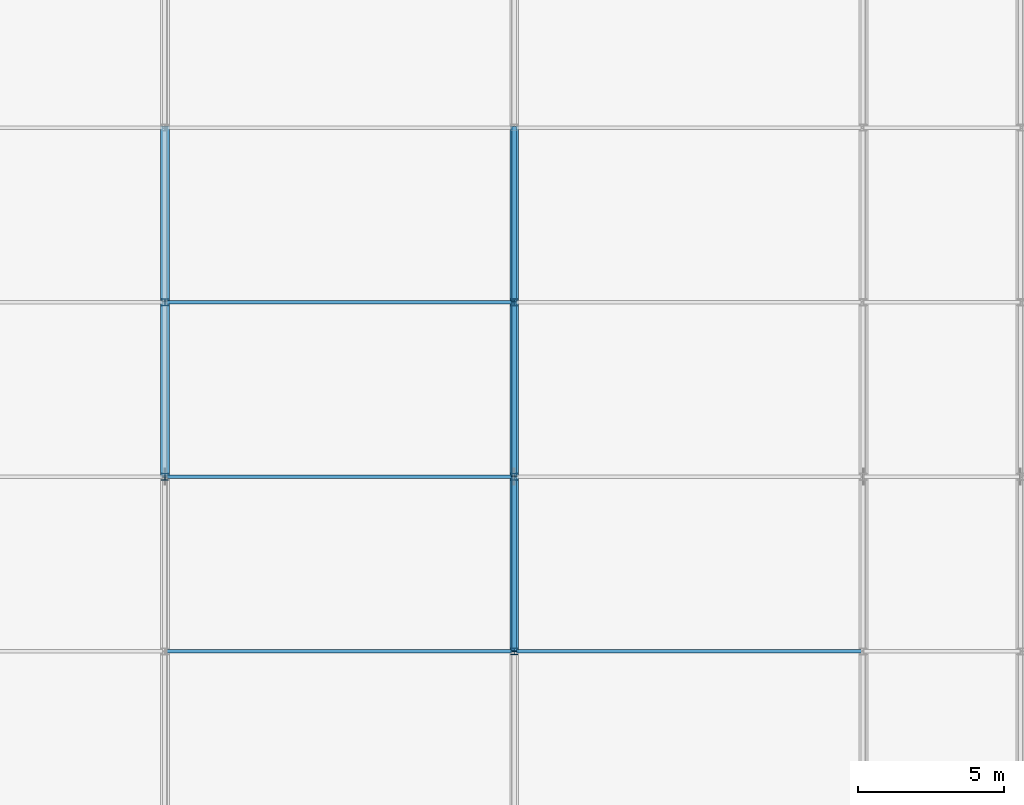
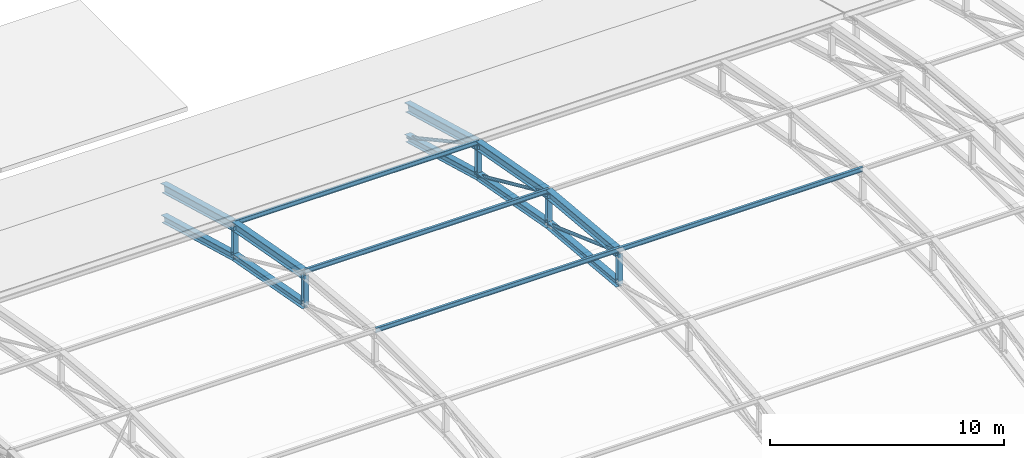
# One storey, part 43 of 204: 22 members.
"""IFC4 building model written with IfcOpenShell, lengths in metres."""

from ifc_helpers import new_model, si_unit, direction, frame, origin, origin_2d, place, context, subcontext, project, spatial, hollow_circle, i_section, extrude, material, material_profile, profile_set, type_object, element, save


model = new_model("IFC4")

# Units and contexts
model_context = context("Model", 3, precision=1e-05, world=origin(), true_north=direction((0.0, 1.0)))
body_context = subcontext(model_context, "Body", "Model", "MODEL_VIEW")
ifc_project = project(units=[si_unit("LENGTHUNIT", "METRE"), si_unit("AREAUNIT", "SQUARE_METRE"), si_unit("VOLUMEUNIT", "CUBIC_METRE"), si_unit("PLANEANGLEUNIT", "RADIAN"), si_unit("MASSUNIT", "GRAM", prefix="KILO")], contexts=[model_context])

# Site, building, storey
site_placement = place(None, origin())
site = spatial("IfcSite", under=ifc_project, at=site_placement, CompositionType="ELEMENT")
building_placement = place(site_placement, origin())
building = spatial("IfcBuilding", under=site, at=building_placement, Name="Zilviju Railside Exhibition Hall", CompositionType="ELEMENT")
storey_placement = place(building_placement, frame((0.0, 0.0, 21.0)))
storey = spatial("IfcBuildingStorey", under=building, at=storey_placement, Name="RF", CompositionType="ELEMENT", Elevation=21.0)

# Members
ifc_material = material(Name="Steel S355J2", Category="steel")
ifc_material_profile_1 = material_profile(ifc_material, hollow_circle(Radius=0.084228515625, WallThickness=0.008056640625, at=origin_2d()), Name="CHS 168.3x8.0")
ifc_profile_set_1 = profile_set([ifc_material_profile_1], Name="Steel S355J2")
member_type_1 = type_object("IfcMemberType", Name="TR-BR-CHS168", PredefinedType="BRACE", material=ifc_profile_set_1)
member_1_placement = place(storey_placement, frame((108.0, 30.0, -0.669189453125), z_axis=(0.0, 0.94123307508, -0.337757751023), x_axis=(-1.0, 0.0, 0.0)))
element("IfcMember", 1, at=member_1_placement, inside=storey, type_object=member_type_1, Name="V1 Parabolic Arch Web Diagonal X=108.0 P6", PredefinedType="BRACE", context=body_context, shape_type="SweptSolid", body=[
    extrude(hollow_circle(Radius=0.084228515625, WallThickness=0.008056640625, at=origin_2d()), origin(), (0.0, 0.0, 1.0), 6.37451171875),
])
member_2_placement = place(storey_placement, frame((108.0, 36.0, -1.22216796875), z_axis=(0.0, 0.911563042822, -0.411160332425), x_axis=(-1.0, 0.0, 0.0)))
element("IfcMember", 2, at=member_2_placement, inside=storey, type_object=member_type_1, Name="V1 Parabolic Arch Web Diagonal X=108.0 P7", PredefinedType="BRACE", context=body_context, shape_type="SweptSolid", body=[
    extrude(hollow_circle(Radius=0.084228515625, WallThickness=0.008056640625, at=origin_2d()), origin(), (0.0, 0.0, 1.0), 6.58203125),
])
member_3_placement = place(storey_placement, frame((108.0, 42.0, -2.328369140625), z_axis=(0.0, 0.87872232578, -0.477333294644), x_axis=(-1.0, 0.0, 0.0)))
element("IfcMember", 3, at=member_3_placement, inside=storey, type_object=member_type_1, Name="V1 Parabolic Arch Web Diagonal X=108.0 P8", PredefinedType="BRACE", context=body_context, shape_type="SweptSolid", body=[
    extrude(hollow_circle(Radius=0.084228515625, WallThickness=0.008056640625, at=origin_2d()), origin(), (0.0, 0.0, 1.0), 6.828125),
])
ifc_material_profile_2 = material_profile(ifc_material, i_section(OverallWidth=0.300048828125, OverallDepth=0.360107421875, WebThickness=0.012451171875, FlangeThickness=0.0224609375, at=origin_2d()), Name="HEB 360")
ifc_profile_set_2 = profile_set([ifc_material_profile_2], Name="Steel S355J2")
member_type_2 = type_object("IfcMemberType", Name="TR-CH-HEB360", PredefinedType="CHORD", material=ifc_profile_set_2)
member_4_placement = place(storey_placement, frame((96.0, 36.0, -2.822265625), z_axis=(0.0, 0.98342578549, -0.18131112606), x_axis=(-1.0, 0.0, 0.0)))
element("IfcMember", 4, at=member_4_placement, inside=storey, type_object=member_type_2, Name="V1 Parabolic Arch Bottom Chord X=96.0 P7", PredefinedType="CHORD", context=body_context, shape_type="SweptSolid", body=[
    extrude(i_section(OverallWidth=0.300048828125, OverallDepth=0.360107421875, WebThickness=0.012451171875, FlangeThickness=0.0224609375, at=origin_2d()), origin(), (0.0, 0.0, 1.0), 6.10107421875),
])
member_5_placement = place(storey_placement, frame((96.0, 42.0, -3.928466796875), z_axis=(0.0, 0.963827412659, -0.266527144223), x_axis=(-1.0, 0.0, 0.0)))
element("IfcMember", 5, at=member_5_placement, inside=storey, type_object=member_type_2, Name="V1 Parabolic Arch Bottom Chord X=96.0 P8", PredefinedType="CHORD", context=body_context, shape_type="SweptSolid", body=[
    extrude(i_section(OverallWidth=0.300048828125, OverallDepth=0.360107421875, WebThickness=0.012451171875, FlangeThickness=0.0224609375, at=origin_2d()), origin(), (0.0, 0.0, 1.0), 6.22509765625),
])
member_6_placement = place(storey_placement, frame((108.0, 30.0, -2.26904296875), z_axis=(0.0, 0.995776144786, -0.091814320641), x_axis=(-1.0, 0.0, 0.0)))
element("IfcMember", 6, at=member_6_placement, inside=storey, type_object=member_type_2, Name="V1 Parabolic Arch Bottom Chord X=108.0 P6", PredefinedType="CHORD", context=body_context, shape_type="SweptSolid", body=[
    extrude(i_section(OverallWidth=0.300048828125, OverallDepth=0.360107421875, WebThickness=0.012451171875, FlangeThickness=0.0224609375, at=origin_2d()), origin(), (0.0, 0.0, 1.0), 6.025390625),
])
member_7_placement = place(storey_placement, frame((108.0, 36.0, -2.822265625), z_axis=(0.0, 0.98342578549, -0.18131112606), x_axis=(-1.0, 0.0, 0.0)))
element("IfcMember", 7, at=member_7_placement, inside=storey, type_object=member_type_2, Name="V1 Parabolic Arch Bottom Chord X=108.0 P7", PredefinedType="CHORD", context=body_context, shape_type="SweptSolid", body=[
    extrude(i_section(OverallWidth=0.300048828125, OverallDepth=0.360107421875, WebThickness=0.012451171875, FlangeThickness=0.0224609375, at=origin_2d()), origin(), (0.0, 0.0, 1.0), 6.10107421875),
])
member_8_placement = place(storey_placement, frame((108.0, 42.0, -3.928466796875), z_axis=(0.0, 0.963827412659, -0.266527144223), x_axis=(-1.0, 0.0, 0.0)))
element("IfcMember", 8, at=member_8_placement, inside=storey, type_object=member_type_2, Name="V1 Parabolic Arch Bottom Chord X=108.0 P8", PredefinedType="CHORD", context=body_context, shape_type="SweptSolid", body=[
    extrude(i_section(OverallWidth=0.300048828125, OverallDepth=0.360107421875, WebThickness=0.012451171875, FlangeThickness=0.0224609375, at=origin_2d()), origin(), (0.0, 0.0, 1.0), 6.22509765625),
])
ifc_material_profile_3 = material_profile(ifc_material, i_section(OverallWidth=0.300048828125, OverallDepth=0.449951171875, WebThickness=0.013916015625, FlangeThickness=0.02587890625, at=origin_2d()), Name="HEB 450")
ifc_profile_set_3 = profile_set([ifc_material_profile_3], Name="Steel S355J2")
member_type_3 = type_object("IfcMemberType", Name="TR-CH-HEB450", PredefinedType="CHORD", material=ifc_profile_set_3)
member_9_placement = place(storey_placement, frame((96.0, 36.0, -1.22216796875), z_axis=(0.0, 0.98342578549, -0.18131112606), x_axis=(-1.0, 0.0, 0.0)))
element("IfcMember", 9, at=member_9_placement, inside=storey, type_object=member_type_3, Name="V1 Parabolic Arch Top Chord X=96.0 P7", PredefinedType="CHORD", context=body_context, shape_type="SweptSolid", body=[
    extrude(i_section(OverallWidth=0.300048828125, OverallDepth=0.449951171875, WebThickness=0.013916015625, FlangeThickness=0.02587890625, at=origin_2d()), origin(), (0.0, 0.0, 1.0), 6.10107421875),
])
member_10_placement = place(storey_placement, frame((96.0, 42.0, -2.328369140625), z_axis=(0.0, 0.963827412659, -0.266527144223), x_axis=(-1.0, 0.0, 0.0)))
element("IfcMember", 10, at=member_10_placement, inside=storey, type_object=member_type_3, Name="V1 Parabolic Arch Top Chord X=96.0 P8", PredefinedType="CHORD", context=body_context, shape_type="SweptSolid", body=[
    extrude(i_section(OverallWidth=0.300048828125, OverallDepth=0.449951171875, WebThickness=0.013916015625, FlangeThickness=0.02587890625, at=origin_2d()), origin(), (0.0, 0.0, 1.0), 6.22509765625),
])
member_11_placement = place(storey_placement, frame((108.0, 30.0, -0.669189453125), z_axis=(0.0, 0.99577984843, -0.091774143746), x_axis=(-1.0, 0.0, 0.0)))
element("IfcMember", 11, at=member_11_placement, inside=storey, type_object=member_type_3, Name="V1 Parabolic Arch Top Chord X=108.0 P6", PredefinedType="CHORD", context=body_context, shape_type="SweptSolid", body=[
    extrude(i_section(OverallWidth=0.300048828125, OverallDepth=0.449951171875, WebThickness=0.013916015625, FlangeThickness=0.02587890625, at=origin_2d()), origin(), (0.0, 0.0, 1.0), 6.025390625),
])
member_12_placement = place(storey_placement, frame((108.0, 36.0, -1.22216796875), z_axis=(0.0, 0.98342578549, -0.18131112606), x_axis=(-1.0, 0.0, 0.0)))
element("IfcMember", 12, at=member_12_placement, inside=storey, type_object=member_type_3, Name="V1 Parabolic Arch Top Chord X=108.0 P7", PredefinedType="CHORD", context=body_context, shape_type="SweptSolid", body=[
    extrude(i_section(OverallWidth=0.300048828125, OverallDepth=0.449951171875, WebThickness=0.013916015625, FlangeThickness=0.02587890625, at=origin_2d()), origin(), (0.0, 0.0, 1.0), 6.10107421875),
])
member_13_placement = place(storey_placement, frame((108.0, 42.0, -2.328369140625), z_axis=(0.0, 0.963827412659, -0.266527144223), x_axis=(-1.0, 0.0, 0.0)))
element("IfcMember", 13, at=member_13_placement, inside=storey, type_object=member_type_3, Name="V1 Parabolic Arch Top Chord X=108.0 P8", PredefinedType="CHORD", context=body_context, shape_type="SweptSolid", body=[
    extrude(i_section(OverallWidth=0.300048828125, OverallDepth=0.449951171875, WebThickness=0.013916015625, FlangeThickness=0.02587890625, at=origin_2d()), origin(), (0.0, 0.0, 1.0), 6.22509765625),
])
ifc_material_profile_4 = material_profile(ifc_material, i_section(OverallWidth=0.239990234375, OverallDepth=0.22998046875, WebThickness=0.007568359375, FlangeThickness=0.011962890625, at=origin_2d()), Name="HEA 240")
ifc_profile_set_4 = profile_set([ifc_material_profile_4], Name="Steel S355J2")
member_type_4 = type_object("IfcMemberType", Name="TR-POST-HEA240", PredefinedType="POST", material=ifc_profile_set_4)
for number, where, z_axis, x_axis, name in (
    (14, (96.0, 36.0, -2.822265625), (0.0, 0.0, 1.0), (1.0, 0.0, 0.0), "V1 Parabolic Arch Web Post X=96.0 N6"),
    (15, (96.0, 42.0, -3.928466796875), (0.0, 0.0, 1.0), (1.0, 0.0, 0.0), "V1 Parabolic Arch Web Post X=96.0 N7"),
):
    element("IfcMember", number, at=place(storey_placement, frame(where, z_axis=z_axis, x_axis=x_axis)), inside=storey, type_object=member_type_4, Name=name, PredefinedType="POST", context=body_context, shape_type="SweptSolid", body=[
        extrude(i_section(OverallWidth=0.239990234375, OverallDepth=0.22998046875, WebThickness=0.007568359375, FlangeThickness=0.011962890625, at=origin_2d()), origin(), (0.0, 0.0, 1.0), 1.60009765625),
    ])
member_14_placement = place(storey_placement, frame((108.0, 30.0, -2.26904296875), z_axis=(0.0, 0.0, 1.0), x_axis=(1.0, 0.0, 0.0)))
element("IfcMember", 16, at=member_14_placement, inside=storey, type_object=member_type_4, Name="V1 Parabolic Arch Web Post X=108.0 N5", PredefinedType="POST", context=body_context, shape_type="SweptSolid", body=[
    extrude(i_section(OverallWidth=0.239990234375, OverallDepth=0.22998046875, WebThickness=0.007568359375, FlangeThickness=0.011962890625, at=origin_2d()), origin(), (0.0, 0.0, 1.0), 1.599853515625),
])
for number, where, z_axis, x_axis, name in (
    (17, (108.0, 36.0, -2.822265625), (0.0, 0.0, 1.0), (1.0, 0.0, 0.0), "V1 Parabolic Arch Web Post X=108.0 N6"),
    (18, (108.0, 42.0, -3.928466796875), (0.0, 0.0, 1.0), (1.0, 0.0, 0.0), "V1 Parabolic Arch Web Post X=108.0 N7"),
):
    element("IfcMember", number, at=place(storey_placement, frame(where, z_axis=z_axis, x_axis=x_axis)), inside=storey, type_object=member_type_4, Name=name, PredefinedType="POST", context=body_context, shape_type="SweptSolid", body=[
        extrude(i_section(OverallWidth=0.239990234375, OverallDepth=0.22998046875, WebThickness=0.007568359375, FlangeThickness=0.011962890625, at=origin_2d()), origin(), (0.0, 0.0, 1.0), 1.60009765625),
    ])
ifc_material_profile_5 = material_profile(ifc_material, i_section(OverallWidth=0.1201171875, OverallDepth=0.239990234375, WebThickness=0.006103515625, FlangeThickness=0.009765625, at=origin_2d()), Name="IPE 240")
ifc_profile_set_5 = profile_set([ifc_material_profile_5], Name="Steel S355J2")
member_type_5 = type_object("IfcMemberType", Name="TR-PUR-IPE240", PredefinedType="PURLIN", material=ifc_profile_set_5)
for number, where, z_axis, x_axis, name in (
    (19, (96.0, 30.0, -0.515625), (1.0, 0.0, 0.0), (0.0, 1.0, 0.0), "V1 Barrel Vault Roof Purlin Y=30.0 (96.0..108.0)"),
    (20, (96.0, 36.0, -1.0771484375), (1.0, 0.0, 0.0), (0.0, 1.0, 0.0), "V1 Barrel Vault Roof Purlin Y=36.0 (96.0..108.0)"),
    (21, (96.0, 42.0, -2.193603515625), (1.0, 0.0, 0.0), (0.0, 1.0, 0.0), "V1 Barrel Vault Roof Purlin Y=42.0 (96.0..108.0)"),
    (22, (108.0, 30.0, -0.515625), (1.0, 0.0, 0.0), (0.0, 1.0, 0.0), "V1 Barrel Vault Roof Purlin Y=30.0 (108.0..120.0)"),
):
    element("IfcMember", number, at=place(storey_placement, frame(where, z_axis=z_axis, x_axis=x_axis)), inside=storey, type_object=member_type_5, Name=name, PredefinedType="PURLIN", context=body_context, shape_type="SweptSolid", body=[
        extrude(i_section(OverallWidth=0.1201171875, OverallDepth=0.239990234375, WebThickness=0.006103515625, FlangeThickness=0.009765625, at=origin_2d()), origin(), (0.0, 0.0, 1.0), 12.0),
    ])

save(model, "model.ifc")
